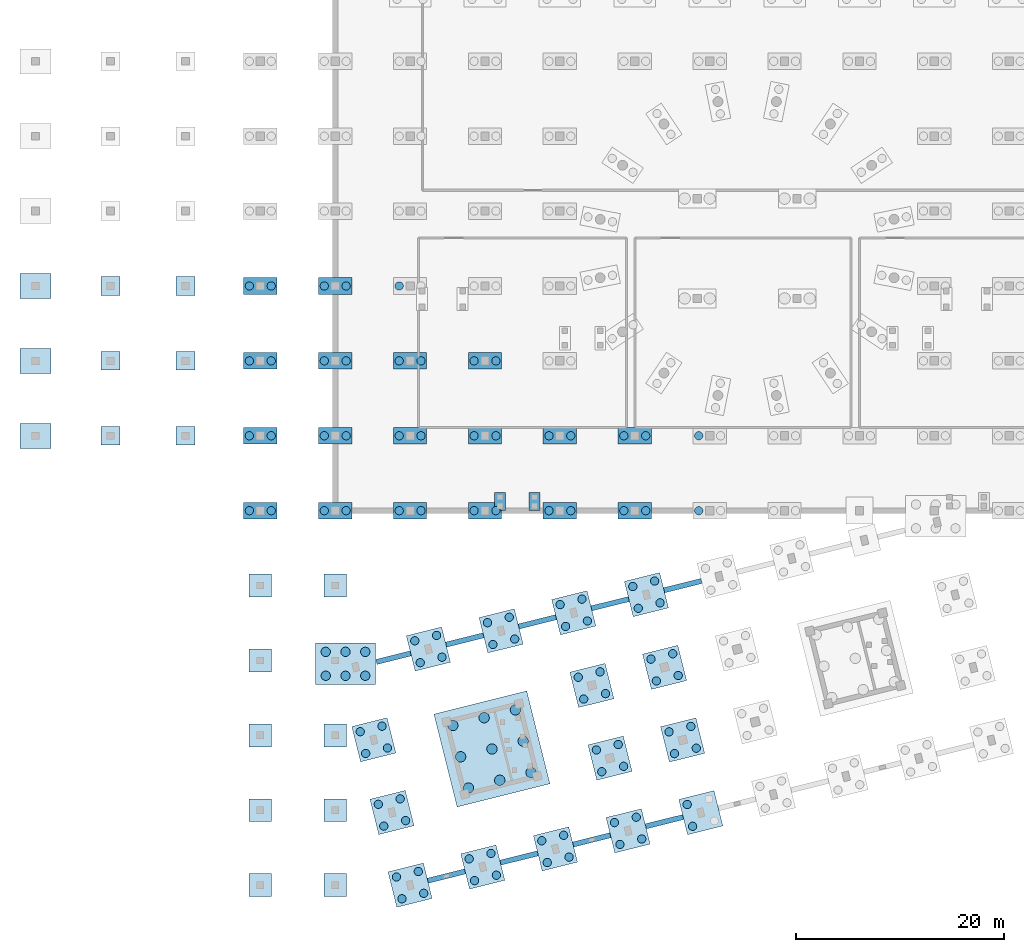
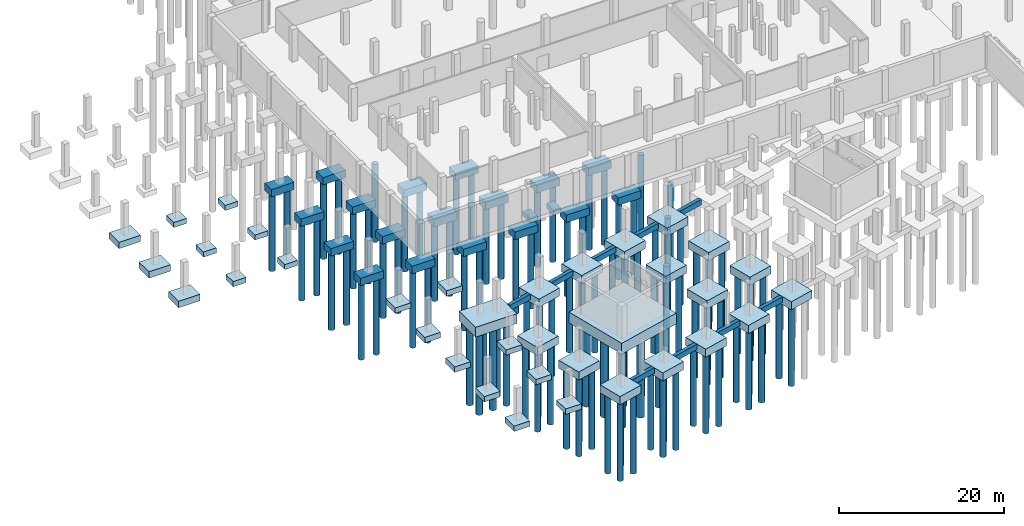
# One storey, part 1 of 19: 112 piles, 64 footings.
"""IFC4 building model written with IfcOpenShell, lengths in metres."""

from ifc_helpers import new_model, si_unit, direction, frame, origin, origin_2d, place, context, subcontext, project, spatial, rectangle, circle, extrude, material, material_profile, profile_set, type_object, element, save


model = new_model("IFC4")

# Units and contexts
model_context = context("Model", 3, precision=1e-05, world=origin(), true_north=direction((0.0, 1.0)))
body_context = subcontext(model_context, "Body", "Model", "MODEL_VIEW")
ifc_project = project(units=[si_unit("LENGTHUNIT", "METRE"), si_unit("AREAUNIT", "SQUARE_METRE"), si_unit("VOLUMEUNIT", "CUBIC_METRE"), si_unit("PLANEANGLEUNIT", "RADIAN"), si_unit("MASSUNIT", "GRAM", prefix="KILO")], contexts=[model_context])

# Site, building, storey
site_placement = place(None, origin())
site = spatial("IfcSite", under=ifc_project, at=site_placement, CompositionType="ELEMENT")
building_placement = place(site_placement, origin())
building = spatial("IfcBuilding", under=site, at=building_placement, Name="Qiaolan Assembly House", CompositionType="ELEMENT")
storey_placement = place(building_placement, frame((0.0, 0.0, -4.800048828125)))
storey = spatial("IfcBuildingStorey", under=building, at=storey_placement, Name="B1", CompositionType="ELEMENT", Elevation=-4.800048828125)

# Footings
ifc_material_1 = material(Name="Concrete C40/50", Category="concrete")
footing_type_1 = type_object("IfcFootingType", Name="FTG-CORE-RAFT-9200x9200", PredefinedType="PILE_CAP", material=ifc_material_1)
footing_1_placement = place(storey_placement, frame((43.866455078125, 13.092041015625, -1.60009765625), z_axis=(0.0, 0.0, 1.0), x_axis=(0.970295726276, 0.2419218956, 0.0)))
element("IfcFooting", 1, at=footing_1_placement, inside=storey, type_object=footing_type_1, Name="PC-01 pile cap CORE-C", PredefinedType="PILE_CAP", context=body_context, shape_type="SweptSolid", body=[
    extrude(rectangle(XDim=9.199951171875, YDim=9.199951171875, at=origin_2d()), origin(), (0.0, 0.0, 1.0), 1.60009765625),
])
ifc_material_profile_1 = material_profile(ifc_material_1, rectangle(XDim=0.5, YDim=0.800048828125, at=origin_2d()), Name="GF 500x800")
ifc_profile_set_1 = profile_set([ifc_material_profile_1], Name="Concrete C40/50")
footing_type_2 = type_object("IfcFootingType", Name="FTG-GB-500x800", PredefinedType="FOOTING_BEAM", material=ifc_profile_set_1)
for number, where, z_axis, x_axis, name in (
    (2, (37.700927734375, 0.424072265625, -0.39990234375), (0.970301689805, 0.241897975934, 0.0), (-0.241897975934, 0.970301689805, 0.0), "GF-02 ground tie beam SE-0-0"),
    (3, (44.68701171875, 2.166015625, -0.39990234375), (0.970301689805, 0.241897975934, 0.0), (-0.241897975934, 0.970301689805, 0.0), "GF-02 ground tie beam SE-0-1"),
):
    element("IfcFooting", number, at=place(storey_placement, frame(where, z_axis=z_axis, x_axis=x_axis)), inside=storey, type_object=footing_type_2, Name=name, PredefinedType="FOOTING_BEAM", context=body_context, shape_type="SweptSolid", body=[
        extrude(rectangle(XDim=0.5, YDim=0.800048828125, at=origin_2d()), origin(), (0.0, 0.0, 1.0), 3.69384765625),
    ])
footing_2_placement = place(storey_placement, frame((51.673095703125, 3.90771484375, -0.39990234375), z_axis=(0.970290044184, 0.241944684086, 0.0), x_axis=(-0.241944684086, 0.970290044184, 0.0)))
element("IfcFooting", 4, at=footing_2_placement, inside=storey, type_object=footing_type_2, Name="GF-02 ground tie beam SE-0-2", PredefinedType="FOOTING_BEAM", context=body_context, shape_type="SweptSolid", body=[
    extrude(rectangle(XDim=0.5, YDim=0.800048828125, at=origin_2d()), origin(), (0.0, 0.0, 1.0), 3.6943359375),
])
footing_3_placement = place(storey_placement, frame((58.659423828125, 5.649658203125, -0.39990234375), z_axis=(0.970301689805, 0.241897975934, 0.0), x_axis=(-0.241897975934, 0.970301689805, 0.0)))
element("IfcFooting", 5, at=footing_3_placement, inside=storey, type_object=footing_type_2, Name="GF-02 ground tie beam SE-0-3", PredefinedType="FOOTING_BEAM", context=body_context, shape_type="SweptSolid", body=[
    extrude(rectangle(XDim=0.5, YDim=0.800048828125, at=origin_2d()), origin(), (0.0, 0.0, 1.0), 3.69384765625),
])
footing_4_placement = place(storey_placement, frame((32.75390625, 21.451904296875, -0.39990234375), z_axis=(0.970294063593, 0.241928564157, 0.0), x_axis=(-0.241928564157, 0.970294063593, 0.0)))
element("IfcFooting", 6, at=footing_4_placement, inside=storey, type_object=footing_type_2, Name="GF-02 ground tie beam SE-21-0", PredefinedType="FOOTING_BEAM", context=body_context, shape_type="SweptSolid", body=[
    extrude(rectangle(XDim=0.5, YDim=0.800048828125, at=origin_2d()), origin(), (0.0, 0.0, 1.0), 3.406982421875),
])
footing_5_placement = place(storey_placement, frame((39.46142578125, 23.124267578125, -0.39990234375), z_axis=(0.970290044184, 0.241944684086, 0.0), x_axis=(-0.241944684086, 0.970290044184, 0.0)))
element("IfcFooting", 7, at=footing_5_placement, inside=storey, type_object=footing_type_2, Name="GF-02 ground tie beam SE-21-1", PredefinedType="FOOTING_BEAM", context=body_context, shape_type="SweptSolid", body=[
    extrude(rectangle(XDim=0.5, YDim=0.800048828125, at=origin_2d()), origin(), (0.0, 0.0, 1.0), 3.6943359375),
])
footing_6_placement = place(storey_placement, frame((46.44775390625, 24.8662109375, -0.39990234375), z_axis=(0.970301689805, 0.241897975934, 0.0), x_axis=(-0.241897975934, 0.970301689805, 0.0)))
element("IfcFooting", 8, at=footing_6_placement, inside=storey, type_object=footing_type_2, Name="GF-02 ground tie beam SE-21-2", PredefinedType="FOOTING_BEAM", context=body_context, shape_type="SweptSolid", body=[
    extrude(rectangle(XDim=0.5, YDim=0.800048828125, at=origin_2d()), origin(), (0.0, 0.0, 1.0), 3.69384765625),
])
footing_7_placement = place(storey_placement, frame((53.433837890625, 26.60791015625, -0.39990234375), z_axis=(0.970286175259, 0.241960199416, 0.0), x_axis=(-0.241960199416, 0.970286175259, 0.0)))
element("IfcFooting", 9, at=footing_7_placement, inside=storey, type_object=footing_type_2, Name="GF-02 ground tie beam SE-21-3", PredefinedType="FOOTING_BEAM", context=body_context, shape_type="SweptSolid", body=[
    extrude(rectangle(XDim=0.5, YDim=0.800048828125, at=origin_2d()), origin(), (0.0, 0.0, 1.0), 3.694091796875),
])
footing_8_placement = place(storey_placement, frame((60.419921875, 28.349853515625, -0.39990234375), z_axis=(0.970301689805, 0.241897975934, 0.0), x_axis=(-0.241897975934, 0.970301689805, 0.0)))
element("IfcFooting", 10, at=footing_8_placement, inside=storey, type_object=footing_type_2, Name="GF-02 ground tie beam SE-21-4", PredefinedType="FOOTING_BEAM", context=body_context, shape_type="SweptSolid", body=[
    extrude(rectangle(XDim=0.5, YDim=0.800048828125, at=origin_2d()), origin(), (0.0, 0.0, 1.0), 3.69384765625),
])
footing_type_3 = type_object("IfcFootingType", Name="FTG-PAD-1800x1800", PredefinedType="PAD_FOOTING", material=ifc_material_1)
for number, where, z_axis, x_axis, name in (
    (11, (7.199951171875, 43.199951171875, -0.75), (0.0, 0.0, 1.0), (1.0, 0.0, 0.0), "PF-04 portico pad footing 1-0"),
    (12, (7.199951171875, 50.39990234375, -0.75), (0.0, 0.0, 1.0), (1.0, 0.0, 0.0), "PF-04 portico pad footing 1-1"),
    (13, (7.199951171875, 57.60009765625, -0.75), (0.0, 0.0, 1.0), (1.0, 0.0, 0.0), "PF-04 portico pad footing 1-2"),
    (14, (14.39990234375, 43.199951171875, -0.75), (0.0, 0.0, 1.0), (1.0, 0.0, 0.0), "PF-04 portico pad footing 2-0"),
    (15, (14.39990234375, 50.39990234375, -0.75), (0.0, 0.0, 1.0), (1.0, 0.0, 0.0), "PF-04 portico pad footing 2-1"),
    (16, (14.39990234375, 57.60009765625, -0.75), (0.0, 0.0, 1.0), (1.0, 0.0, 0.0), "PF-04 portico pad footing 2-2"),
):
    element("IfcFooting", number, at=place(storey_placement, frame(where, z_axis=z_axis, x_axis=x_axis)), inside=storey, type_object=footing_type_3, Name=name, PredefinedType="PAD_FOOTING", context=body_context, shape_type="SweptSolid", body=[
        extrude(rectangle(XDim=1.800048828125, YDim=1.800048828125, at=origin_2d()), origin(), (0.0, 0.0, 1.0), 0.75),
    ])
footing_type_4 = type_object("IfcFootingType", Name="FTG-PAD-2200x2200", PredefinedType="PAD_FOOTING", material=ifc_material_1)
for number, where, z_axis, x_axis, name in (
    (17, (21.60009765625, 0.0, -0.7998046875), (0.0, 0.0, 1.0), (1.0, 0.0, 0.0), "PF-03 pad footing PS-21-0"),
    (18, (21.60009765625, 7.199951171875, -0.7998046875), (0.0, 0.0, 1.0), (1.0, 0.0, 0.0), "PF-03 pad footing PS-21-1"),
    (19, (21.60009765625, 14.39990234375, -0.7998046875), (0.0, 0.0, 1.0), (1.0, 0.0, 0.0), "PF-03 pad footing PS-21-2"),
    (20, (21.60009765625, 21.60009765625, -0.7998046875), (0.0, 0.0, 1.0), (1.0, 0.0, 0.0), "PF-03 pad footing PS-21-3"),
    (21, (21.60009765625, 28.800048828125, -0.7998046875), (0.0, 0.0, 1.0), (1.0, 0.0, 0.0), "PF-03 pad footing PS-21-4"),
    (22, (28.800048828125, 0.0, -0.7998046875), (0.0, 0.0, 1.0), (1.0, 0.0, 0.0), "PF-03 pad footing PS-28-0"),
    (23, (28.800048828125, 7.199951171875, -0.7998046875), (0.0, 0.0, 1.0), (1.0, 0.0, 0.0), "PF-03 pad footing PS-28-1"),
    (24, (28.800048828125, 14.39990234375, -0.7998046875), (0.0, 0.0, 1.0), (1.0, 0.0, 0.0), "PF-03 pad footing PS-28-2"),
    (25, (28.800048828125, 28.800048828125, -0.7998046875), (0.0, 0.0, 1.0), (1.0, 0.0, 0.0), "PF-03 pad footing PS-28-4"),
):
    element("IfcFooting", number, at=place(storey_placement, frame(where, z_axis=z_axis, x_axis=x_axis)), inside=storey, type_object=footing_type_4, Name=name, PredefinedType="PAD_FOOTING", context=body_context, shape_type="SweptSolid", body=[
        extrude(rectangle(XDim=2.199951171875, YDim=2.199951171875, at=origin_2d()), origin(), (0.0, 0.0, 1.0), 0.800048828125),
    ])
footing_type_5 = type_object("IfcFootingType", Name="FTG-PAD-3000x2400", PredefinedType="PAD_FOOTING", material=ifc_material_1)
for number, where, z_axis, x_axis, name in (
    (26, (0.0, 43.199951171875, -0.94970703125), (0.0, 0.0, 1.0), (1.0, 0.0, 0.0), "PF-01 portico pad footing 0-0"),
    (27, (0.0, 50.39990234375, -0.94970703125), (0.0, 0.0, 1.0), (1.0, 0.0, 0.0), "PF-01 portico pad footing 0-1"),
    (28, (0.0, 57.60009765625, -0.94970703125), (0.0, 0.0, 1.0), (1.0, 0.0, 0.0), "PF-01 portico pad footing 0-2"),
):
    element("IfcFooting", number, at=place(storey_placement, frame(where, z_axis=z_axis, x_axis=x_axis)), inside=storey, type_object=footing_type_5, Name=name, PredefinedType="PAD_FOOTING", context=body_context, shape_type="SweptSolid", body=[
        extrude(rectangle(XDim=3.0, YDim=2.39990234375, at=origin_2d()), origin(), (0.0, 0.0, 1.0), 0.949951171875),
    ])
for number, where, z_axis, x_axis, name in (
    (29, (44.64990234375, 36.8798828125, -0.75), (0.0, 0.0, 1.0), (1.0, 0.0, 0.0), "PF-04 foyer stair combined footing F1-1"),
    (30, (47.949951171875, 36.8798828125, -0.75), (0.0, 0.0, 1.0), (1.0, 0.0, 0.0), "PF-04 foyer stair combined footing F1-2"),
):
    element("IfcFooting", number, at=place(storey_placement, frame(where, z_axis=z_axis, x_axis=x_axis)), inside=storey, type_object=footing_type_5, Name=name, PredefinedType="PAD_FOOTING", context=body_context, shape_type="SweptSolid", body=[
        extrude(rectangle(XDim=1.050048828125, YDim=1.75, at=origin_2d()), origin(), (0.0, 0.0, 1.0), 0.699951171875),
    ])
footing_type_6 = type_object("IfcFootingType", Name="FTG-PC-2P-3200x1600", PredefinedType="PILE_CAP", material=ifc_material_1)
for number, where, z_axis, x_axis, name in (
    (31, (21.60009765625, 36.0, -1.10009765625), (0.0, 0.0, 1.0), (1.0, 0.0, 0.0), "PC-07 pile cap HL-00-00"),
    (32, (21.60009765625, 43.199951171875, -1.10009765625), (0.0, 0.0, 1.0), (1.0, 0.0, 0.0), "PC-07 pile cap HL-00-01"),
    (33, (21.60009765625, 50.39990234375, -1.10009765625), (0.0, 0.0, 1.0), (1.0, 0.0, 0.0), "PC-07 pile cap HL-00-02"),
    (34, (21.60009765625, 57.60009765625, -1.10009765625), (0.0, 0.0, 1.0), (1.0, 0.0, 0.0), "PC-07 pile cap HL-00-03"),
    (35, (28.800048828125, 36.0, -1.85009765625), (0.0, 0.0, 1.0), (1.0, 0.0, 0.0), "PC-07 pile cap HL-01-00"),
    (36, (28.800048828125, 43.199951171875, -1.85009765625), (0.0, 0.0, 1.0), (1.0, 0.0, 0.0), "PC-07 pile cap HL-01-01"),
    (37, (28.800048828125, 50.39990234375, -1.85009765625), (0.0, 0.0, 1.0), (1.0, 0.0, 0.0), "PC-07 pile cap HL-01-02"),
    (38, (28.800048828125, 57.60009765625, -1.85009765625), (0.0, 0.0, 1.0), (1.0, 0.0, 0.0), "PC-07 pile cap HL-01-03"),
    (39, (36.0, 36.0, -1.85009765625), (0.0, 0.0, 1.0), (1.0, 0.0, 0.0), "PC-07 pile cap HL-02-00"),
    (40, (36.0, 43.199951171875, -1.85009765625), (0.0, 0.0, 1.0), (1.0, 0.0, 0.0), "PC-07 pile cap HL-02-01"),
    (41, (36.0, 50.39990234375, -1.85009765625), (0.0, 0.0, 1.0), (1.0, 0.0, 0.0), "PC-07 pile cap HL-02-02"),
    (42, (43.199951171875, 36.0, -1.85009765625), (0.0, 0.0, 1.0), (1.0, 0.0, 0.0), "PC-07 pile cap HL-03-00"),
    (43, (43.199951171875, 43.199951171875, -1.85009765625), (0.0, 0.0, 1.0), (1.0, 0.0, 0.0), "PC-07 pile cap HL-03-01"),
    (44, (43.199951171875, 50.39990234375, -1.85009765625), (0.0, 0.0, 1.0), (1.0, 0.0, 0.0), "PC-07 pile cap HL-03-02"),
    (45, (50.39990234375, 36.0, -1.85009765625), (0.0, 0.0, 1.0), (1.0, 0.0, 0.0), "PC-07 pile cap HL-04-00"),
    (46, (50.39990234375, 43.199951171875, -1.85009765625), (0.0, 0.0, 1.0), (1.0, 0.0, 0.0), "PC-07 pile cap HL-04-01"),
    (47, (57.60009765625, 36.0, -1.85009765625), (0.0, 0.0, 1.0), (1.0, 0.0, 0.0), "PC-07 pile cap HL-05-00"),
    (48, (57.60009765625, 43.199951171875, -1.85009765625), (0.0, 0.0, 1.0), (1.0, 0.0, 0.0), "PC-07 pile cap HL-05-01"),
):
    element("IfcFooting", number, at=place(storey_placement, frame(where, z_axis=z_axis, x_axis=x_axis)), inside=storey, type_object=footing_type_6, Name=name, PredefinedType="PILE_CAP", context=body_context, shape_type="SweptSolid", body=[
        extrude(rectangle(XDim=3.199951171875, YDim=1.60009765625, at=origin_2d()), origin(), (0.0, 0.0, 1.0), 1.10009765625),
    ])
footing_type_7 = type_object("IfcFootingType", Name="FTG-PC-4P-3500x3500", PredefinedType="PILE_CAP", material=ifc_material_1)
for number, where, z_axis, x_axis, name in (
    (49, (36.0, 0.0, -1.19970703125), (0.0, 0.0, 1.0), (0.970295726276, 0.2419218956, 0.0), "PC-05 pile cap SE-00-00"),
    (50, (34.258056640625, 6.986083984375, -1.19970703125), (0.0, 0.0, 1.0), (0.970295726276, 0.2419218956, 0.0), "PC-05 pile cap SE-00-01"),
    (51, (32.516357421875, 13.97216796875, -1.19970703125), (0.0, 0.0, 1.0), (0.970295726276, 0.2419218956, 0.0), "PC-05 pile cap SE-00-02"),
    (52, (42.986083984375, 1.741943359375, -1.19970703125), (0.0, 0.0, 1.0), (0.970295726276, 0.2419218956, 0.0), "PC-05 pile cap SE-01-00"),
    (53, (37.760498046875, 22.7001953125, -1.19970703125), (0.0, 0.0, 1.0), (0.970295726276, 0.2419218956, 0.0), "PC-05 pile cap SE-01-03"),
    (54, (49.97216796875, 3.483642578125, -1.19970703125), (0.0, 0.0, 1.0), (0.970295726276, 0.2419218956, 0.0), "PC-05 pile cap SE-02-00"),
    (55, (44.746826171875, 24.442138671875, -1.19970703125), (0.0, 0.0, 1.0), (0.970295726276, 0.2419218956, 0.0), "PC-05 pile cap SE-02-03"),
    (56, (56.95849609375, 5.2255859375, -1.19970703125), (0.0, 0.0, 1.0), (0.970295726276, 0.2419218956, 0.0), "PC-05 pile cap SE-03-00"),
    (57, (55.216552734375, 12.211669921875, -1.19970703125), (0.0, 0.0, 1.0), (0.970295726276, 0.2419218956, 0.0), "PC-05 pile cap SE-03-01"),
    (58, (53.474609375, 19.19775390625, -1.19970703125), (0.0, 0.0, 1.0), (0.970295726276, 0.2419218956, 0.0), "PC-05 pile cap SE-03-02"),
    (59, (51.73291015625, 26.183837890625, -1.19970703125), (0.0, 0.0, 1.0), (0.970295726276, 0.2419218956, 0.0), "PC-05 pile cap SE-03-03"),
    (60, (63.944580078125, 6.96728515625, -1.19970703125), (0.0, 0.0, 1.0), (0.970295726276, 0.2419218956, 0.0), "PC-05 pile cap SE-04-00"),
    (61, (62.20263671875, 13.953369140625, -1.19970703125), (0.0, 0.0, 1.0), (0.970295726276, 0.2419218956, 0.0), "PC-05 pile cap SE-04-01"),
    (62, (60.4609375, 20.939697265625, -1.19970703125), (0.0, 0.0, 1.0), (0.970295726276, 0.2419218956, 0.0), "PC-05 pile cap SE-04-02"),
    (63, (58.718994140625, 27.92578125, -1.19970703125), (0.0, 0.0, 1.0), (0.970295726276, 0.2419218956, 0.0), "PC-05 pile cap SE-04-03"),
):
    element("IfcFooting", number, at=place(storey_placement, frame(where, z_axis=z_axis, x_axis=x_axis)), inside=storey, type_object=footing_type_7, Name=name, PredefinedType="PILE_CAP", context=body_context, shape_type="SweptSolid", body=[
        extrude(rectangle(XDim=3.5, YDim=3.5, at=origin_2d()), origin(), (0.0, 0.0, 1.0), 1.199951171875),
    ])
footing_type_8 = type_object("IfcFootingType", Name="FTG-PC-6P-5800x4000", PredefinedType="PILE_CAP", material=ifc_material_1)
footing_9_placement = place(storey_placement, frame((29.7900390625, 21.280029296875, -1.44970703125), z_axis=(0.0, 0.0, 1.0), x_axis=(1.0, 0.0, 0.0)))
element("IfcFooting", 64, at=footing_9_placement, inside=storey, type_object=footing_type_8, Name="PC-02 pile cap COMB-PS-SE00", PredefinedType="PILE_CAP", context=body_context, shape_type="SweptSolid", body=[
    extrude(rectangle(XDim=5.800048828125, YDim=4.0, at=origin_2d()), origin(), (0.0, 0.0, 1.0), 1.449951171875),
])

# Piles
ifc_material_2 = material(Name="Concrete C45/55", Category="concrete")
ifc_material_profile_2 = material_profile(ifc_material_2, circle(Radius=0.5, at=origin_2d()), Name="PILE D1000")
ifc_profile_set_2 = profile_set([ifc_material_profile_2], Name="Concrete C45/55")
pile_type_1 = type_object("IfcPileType", Name="PILE-BORED-D1000", PredefinedType="BORED", material=ifc_profile_set_2)
for number, where, z_axis, x_axis, name in (
    (65, (41.6083984375, 9.333984375, -1.5), (0.0, 0.0, -1.0), (1.0, 0.0, 0.0), "BP-03 rock-socketed pile CORE-C-1"),
    (66, (40.8583984375, 12.342041015625, -1.5), (0.0, 0.0, -1.0), (1.0, 0.0, 0.0), "BP-03 rock-socketed pile CORE-C-2"),
    (67, (40.108642578125, 15.349853515625, -1.5), (0.0, 0.0, -1.0), (1.0, 0.0, 0.0), "BP-03 rock-socketed pile CORE-C-3"),
    (68, (44.616455078125, 10.083984375, -1.5), (0.0, 0.0, -1.0), (1.0, 0.0, 0.0), "BP-03 rock-socketed pile CORE-C-4"),
    (69, (43.866455078125, 13.092041015625, -1.5), (0.0, 0.0, -1.0), (1.0, 0.0, 0.0), "BP-03 rock-socketed pile CORE-C-5"),
    (70, (43.116455078125, 16.099853515625, -1.5), (0.0, 0.0, -1.0), (1.0, 0.0, 0.0), "BP-03 rock-socketed pile CORE-C-6"),
    (71, (47.624267578125, 10.833984375, -1.5), (0.0, 0.0, -1.0), (1.0, 0.0, 0.0), "BP-03 rock-socketed pile CORE-C-7"),
    (72, (46.874267578125, 13.841796875, -1.5), (0.0, 0.0, -1.0), (1.0, 0.0, 0.0), "BP-03 rock-socketed pile CORE-C-8"),
    (73, (46.12451171875, 16.849853515625, -1.5), (0.0, 0.0, -1.0), (1.0, 0.0, 0.0), "BP-03 rock-socketed pile CORE-C-9"),
):
    element("IfcPile", number, at=place(storey_placement, frame(where, z_axis=z_axis, x_axis=x_axis)), inside=storey, type_object=pile_type_1, Name=name, PredefinedType="BORED", context=body_context, shape_type="SweptSolid", body=[
        extrude(circle(Radius=0.5, at=origin_2d()), origin(), (0.0, 0.0, 1.0), 12.199951171875),
    ])
ifc_material_profile_3 = material_profile(ifc_material_2, circle(Radius=0.39990234375, at=origin_2d()), Name="PILE D800")
ifc_profile_set_3 = profile_set([ifc_material_profile_3], Name="Concrete C45/55")
pile_type_2 = type_object("IfcPileType", Name="PILE-BORED-D800", PredefinedType="BORED", material=ifc_profile_set_3)
for number, where, z_axis, x_axis, name in (
    (74, (35.21337890625, -1.30908203125, -1.099853515625), (0.0, 0.0, -1.0), (1.0, 0.0, 0.0), "BP-01 rock-socketed pile SE-00-00-1"),
    (75, (37.30908203125, -0.78662109375, -1.099853515625), (0.0, 0.0, -1.0), (1.0, 0.0, 0.0), "BP-01 rock-socketed pile SE-00-00-2"),
    (76, (36.78662109375, 1.30908203125, -1.099853515625), (0.0, 0.0, -1.0), (1.0, 0.0, 0.0), "BP-01 rock-socketed pile SE-00-00-3"),
    (77, (34.69091796875, 0.78662109375, -1.099853515625), (0.0, 0.0, -1.0), (1.0, 0.0, 0.0), "BP-01 rock-socketed pile SE-00-00-4"),
    (78, (33.471435546875, 5.677001953125, -1.099853515625), (0.0, 0.0, -1.0), (1.0, 0.0, 0.0), "BP-01 rock-socketed pile SE-00-01-1"),
    (79, (35.5673828125, 6.199462890625, -1.099853515625), (0.0, 0.0, -1.0), (1.0, 0.0, 0.0), "BP-01 rock-socketed pile SE-00-01-2"),
    (80, (35.044921875, 8.29541015625, -1.099853515625), (0.0, 0.0, -1.0), (1.0, 0.0, 0.0), "BP-01 rock-socketed pile SE-00-01-3"),
    (81, (32.948974609375, 7.772705078125, -1.099853515625), (0.0, 0.0, -1.0), (1.0, 0.0, 0.0), "BP-01 rock-socketed pile SE-00-01-4"),
    (82, (31.729736328125, 12.6630859375, -1.099853515625), (0.0, 0.0, -1.0), (1.0, 0.0, 0.0), "BP-01 rock-socketed pile SE-00-02-1"),
    (83, (33.825439453125, 13.185546875, -1.099853515625), (0.0, 0.0, -1.0), (1.0, 0.0, 0.0), "BP-01 rock-socketed pile SE-00-02-2"),
    (84, (33.302978515625, 15.281494140625, -1.099853515625), (0.0, 0.0, -1.0), (1.0, 0.0, 0.0), "BP-01 rock-socketed pile SE-00-02-3"),
    (85, (31.20703125, 14.7587890625, -1.099853515625), (0.0, 0.0, -1.0), (1.0, 0.0, 0.0), "BP-01 rock-socketed pile SE-00-02-4"),
    (86, (42.199462890625, 0.4326171875, -1.099853515625), (0.0, 0.0, -1.0), (1.0, 0.0, 0.0), "BP-01 rock-socketed pile SE-01-00-1"),
    (87, (44.29541015625, 0.955078125, -1.099853515625), (0.0, 0.0, -1.0), (1.0, 0.0, 0.0), "BP-01 rock-socketed pile SE-01-00-2"),
    (88, (43.772705078125, 3.051025390625, -1.099853515625), (0.0, 0.0, -1.0), (1.0, 0.0, 0.0), "BP-01 rock-socketed pile SE-01-00-3"),
    (89, (41.677001953125, 2.528564453125, -1.099853515625), (0.0, 0.0, -1.0), (1.0, 0.0, 0.0), "BP-01 rock-socketed pile SE-01-00-4"),
    (90, (36.973876953125, 21.39111328125, -1.099853515625), (0.0, 0.0, -1.0), (1.0, 0.0, 0.0), "BP-01 rock-socketed pile SE-01-03-1"),
    (91, (39.06982421875, 21.91357421875, -1.099853515625), (0.0, 0.0, -1.0), (1.0, 0.0, 0.0), "BP-01 rock-socketed pile SE-01-03-2"),
    (92, (38.54736328125, 24.009521484375, -1.099853515625), (0.0, 0.0, -1.0), (1.0, 0.0, 0.0), "BP-01 rock-socketed pile SE-01-03-3"),
    (93, (36.451416015625, 23.48681640625, -1.099853515625), (0.0, 0.0, -1.0), (1.0, 0.0, 0.0), "BP-01 rock-socketed pile SE-01-03-4"),
    (94, (49.185546875, 2.174560546875, -1.099853515625), (0.0, 0.0, -1.0), (1.0, 0.0, 0.0), "BP-01 rock-socketed pile SE-02-00-1"),
    (95, (51.281494140625, 2.697021484375, -1.099853515625), (0.0, 0.0, -1.0), (1.0, 0.0, 0.0), "BP-01 rock-socketed pile SE-02-00-2"),
    (96, (50.7587890625, 4.79296875, -1.099853515625), (0.0, 0.0, -1.0), (1.0, 0.0, 0.0), "BP-01 rock-socketed pile SE-02-00-3"),
    (97, (48.6630859375, 4.270263671875, -1.099853515625), (0.0, 0.0, -1.0), (1.0, 0.0, 0.0), "BP-01 rock-socketed pile SE-02-00-4"),
    (98, (43.960205078125, 23.1328125, -1.099853515625), (0.0, 0.0, -1.0), (1.0, 0.0, 0.0), "BP-01 rock-socketed pile SE-02-03-1"),
    (99, (46.055908203125, 23.655517578125, -1.099853515625), (0.0, 0.0, -1.0), (1.0, 0.0, 0.0), "BP-01 rock-socketed pile SE-02-03-2"),
    (100, (45.533447265625, 25.751220703125, -1.099853515625), (0.0, 0.0, -1.0), (1.0, 0.0, 0.0), "BP-01 rock-socketed pile SE-02-03-3"),
    (101, (43.4375, 25.228759765625, -1.099853515625), (0.0, 0.0, -1.0), (1.0, 0.0, 0.0), "BP-01 rock-socketed pile SE-02-03-4"),
    (102, (56.171630859375, 3.916259765625, -1.099853515625), (0.0, 0.0, -1.0), (1.0, 0.0, 0.0), "BP-01 rock-socketed pile SE-03-00-1"),
    (103, (58.267578125, 4.43896484375, -1.099853515625), (0.0, 0.0, -1.0), (1.0, 0.0, 0.0), "BP-01 rock-socketed pile SE-03-00-2"),
    (104, (57.7451171875, 6.53466796875, -1.099853515625), (0.0, 0.0, -1.0), (1.0, 0.0, 0.0), "BP-01 rock-socketed pile SE-03-00-3"),
    (105, (55.649169921875, 6.01220703125, -1.099853515625), (0.0, 0.0, -1.0), (1.0, 0.0, 0.0), "BP-01 rock-socketed pile SE-03-00-4"),
    (106, (54.429931640625, 10.90234375, -1.099853515625), (0.0, 0.0, -1.0), (1.0, 0.0, 0.0), "BP-01 rock-socketed pile SE-03-01-1"),
    (107, (56.525634765625, 11.425048828125, -1.099853515625), (0.0, 0.0, -1.0), (1.0, 0.0, 0.0), "BP-01 rock-socketed pile SE-03-01-2"),
    (108, (56.003173828125, 13.520751953125, -1.099853515625), (0.0, 0.0, -1.0), (1.0, 0.0, 0.0), "BP-01 rock-socketed pile SE-03-01-3"),
    (109, (53.907470703125, 12.998291015625, -1.099853515625), (0.0, 0.0, -1.0), (1.0, 0.0, 0.0), "BP-01 rock-socketed pile SE-03-01-4"),
    (110, (52.68798828125, 17.888671875, -1.099853515625), (0.0, 0.0, -1.0), (1.0, 0.0, 0.0), "BP-01 rock-socketed pile SE-03-02-1"),
    (111, (54.783935546875, 18.4111328125, -1.099853515625), (0.0, 0.0, -1.0), (1.0, 0.0, 0.0), "BP-01 rock-socketed pile SE-03-02-2"),
    (112, (54.261474609375, 20.507080078125, -1.099853515625), (0.0, 0.0, -1.0), (1.0, 0.0, 0.0), "BP-01 rock-socketed pile SE-03-02-3"),
    (113, (52.16552734375, 19.984375, -1.099853515625), (0.0, 0.0, -1.0), (1.0, 0.0, 0.0), "BP-01 rock-socketed pile SE-03-02-4"),
    (114, (50.9462890625, 24.874755859375, -1.099853515625), (0.0, 0.0, -1.0), (1.0, 0.0, 0.0), "BP-01 rock-socketed pile SE-03-03-1"),
    (115, (53.0419921875, 25.397216796875, -1.099853515625), (0.0, 0.0, -1.0), (1.0, 0.0, 0.0), "BP-01 rock-socketed pile SE-03-03-2"),
    (116, (52.51953125, 27.4931640625, -1.099853515625), (0.0, 0.0, -1.0), (1.0, 0.0, 0.0), "BP-01 rock-socketed pile SE-03-03-3"),
    (117, (50.423583984375, 26.970458984375, -1.099853515625), (0.0, 0.0, -1.0), (1.0, 0.0, 0.0), "BP-01 rock-socketed pile SE-03-03-4"),
    (118, (63.157958984375, 5.658203125, -1.099853515625), (0.0, 0.0, -1.0), (1.0, 0.0, 0.0), "BP-01 rock-socketed pile SE-04-00-1"),
    (119, (62.63525390625, 7.75390625, -1.099853515625), (0.0, 0.0, -1.0), (1.0, 0.0, 0.0), "BP-01 rock-socketed pile SE-04-00-4"),
    (120, (61.416015625, 12.644287109375, -1.099853515625), (0.0, 0.0, -1.0), (1.0, 0.0, 0.0), "BP-01 rock-socketed pile SE-04-01-1"),
    (121, (63.511962890625, 13.166748046875, -1.099853515625), (0.0, 0.0, -1.0), (1.0, 0.0, 0.0), "BP-01 rock-socketed pile SE-04-01-2"),
    (122, (62.9892578125, 15.2626953125, -1.099853515625), (0.0, 0.0, -1.0), (1.0, 0.0, 0.0), "BP-01 rock-socketed pile SE-04-01-3"),
    (123, (60.8935546875, 14.740234375, -1.099853515625), (0.0, 0.0, -1.0), (1.0, 0.0, 0.0), "BP-01 rock-socketed pile SE-04-01-4"),
    (124, (59.67431640625, 19.63037109375, -1.099853515625), (0.0, 0.0, -1.0), (1.0, 0.0, 0.0), "BP-01 rock-socketed pile SE-04-02-1"),
    (125, (61.77001953125, 20.153076171875, -1.099853515625), (0.0, 0.0, -1.0), (1.0, 0.0, 0.0), "BP-01 rock-socketed pile SE-04-02-2"),
    (126, (61.24755859375, 22.248779296875, -1.099853515625), (0.0, 0.0, -1.0), (1.0, 0.0, 0.0), "BP-01 rock-socketed pile SE-04-02-3"),
    (127, (59.151611328125, 21.726318359375, -1.099853515625), (0.0, 0.0, -1.0), (1.0, 0.0, 0.0), "BP-01 rock-socketed pile SE-04-02-4"),
    (128, (57.932373046875, 26.616455078125, -1.099853515625), (0.0, 0.0, -1.0), (1.0, 0.0, 0.0), "BP-01 rock-socketed pile SE-04-03-1"),
    (129, (60.0283203125, 27.13916015625, -1.099853515625), (0.0, 0.0, -1.0), (1.0, 0.0, 0.0), "BP-01 rock-socketed pile SE-04-03-2"),
    (130, (59.505615234375, 29.23486328125, -1.099853515625), (0.0, 0.0, -1.0), (1.0, 0.0, 0.0), "BP-01 rock-socketed pile SE-04-03-3"),
    (131, (57.409912109375, 28.71240234375, -1.099853515625), (0.0, 0.0, -1.0), (1.0, 0.0, 0.0), "BP-01 rock-socketed pile SE-04-03-4"),
):
    element("IfcPile", number, at=place(storey_placement, frame(where, z_axis=z_axis, x_axis=x_axis)), inside=storey, type_object=pile_type_2, Name=name, PredefinedType="BORED", context=body_context, shape_type="SweptSolid", body=[
        extrude(circle(Radius=0.39990234375, at=origin_2d()), origin(), (0.0, 0.0, 1.0), 11.800048828125),
    ])
for number, where, z_axis, x_axis, name in (
    (132, (20.550048828125, 36.0, -1.0), (0.0, 0.0, -1.0), (1.0, 0.0, 0.0), "BP-01 rock-socketed pile HL-00-00-1"),
    (133, (22.64990234375, 36.0, -1.0), (0.0, 0.0, -1.0), (1.0, 0.0, 0.0), "BP-01 rock-socketed pile HL-00-00-2"),
    (134, (20.550048828125, 43.199951171875, -1.0), (0.0, 0.0, -1.0), (1.0, 0.0, 0.0), "BP-01 rock-socketed pile HL-00-01-1"),
    (135, (22.64990234375, 43.199951171875, -1.0), (0.0, 0.0, -1.0), (1.0, 0.0, 0.0), "BP-01 rock-socketed pile HL-00-01-2"),
    (136, (20.550048828125, 50.39990234375, -1.0), (0.0, 0.0, -1.0), (1.0, 0.0, 0.0), "BP-01 rock-socketed pile HL-00-02-1"),
    (137, (22.64990234375, 50.39990234375, -1.0), (0.0, 0.0, -1.0), (1.0, 0.0, 0.0), "BP-01 rock-socketed pile HL-00-02-2"),
    (138, (20.550048828125, 57.60009765625, -1.0), (0.0, 0.0, -1.0), (1.0, 0.0, 0.0), "BP-01 rock-socketed pile HL-00-03-1"),
    (139, (22.64990234375, 57.60009765625, -1.0), (0.0, 0.0, -1.0), (1.0, 0.0, 0.0), "BP-01 rock-socketed pile HL-00-03-2"),
    (140, (27.75, 36.0, -1.75), (0.0, 0.0, -1.0), (1.0, 0.0, 0.0), "BP-01 rock-socketed pile HL-01-00-1"),
    (141, (29.85009765625, 36.0, -1.75), (0.0, 0.0, -1.0), (1.0, 0.0, 0.0), "BP-01 rock-socketed pile HL-01-00-2"),
    (142, (27.75, 43.199951171875, -1.75), (0.0, 0.0, -1.0), (1.0, 0.0, 0.0), "BP-01 rock-socketed pile HL-01-01-1"),
    (143, (29.85009765625, 43.199951171875, -1.75), (0.0, 0.0, -1.0), (1.0, 0.0, 0.0), "BP-01 rock-socketed pile HL-01-01-2"),
    (144, (27.75, 50.39990234375, -1.75), (0.0, 0.0, -1.0), (1.0, 0.0, 0.0), "BP-01 rock-socketed pile HL-01-02-1"),
    (145, (29.85009765625, 50.39990234375, -1.75), (0.0, 0.0, -1.0), (1.0, 0.0, 0.0), "BP-01 rock-socketed pile HL-01-02-2"),
    (146, (27.75, 57.60009765625, -1.75), (0.0, 0.0, -1.0), (1.0, 0.0, 0.0), "BP-01 rock-socketed pile HL-01-03-1"),
    (147, (29.85009765625, 57.60009765625, -1.75), (0.0, 0.0, -1.0), (1.0, 0.0, 0.0), "BP-01 rock-socketed pile HL-01-03-2"),
    (148, (34.949951171875, 36.0, -1.75), (0.0, 0.0, -1.0), (1.0, 0.0, 0.0), "BP-01 rock-socketed pile HL-02-00-1"),
    (149, (37.050048828125, 36.0, -1.75), (0.0, 0.0, -1.0), (1.0, 0.0, 0.0), "BP-01 rock-socketed pile HL-02-00-2"),
    (150, (34.949951171875, 43.199951171875, -1.75), (0.0, 0.0, -1.0), (1.0, 0.0, 0.0), "BP-01 rock-socketed pile HL-02-01-1"),
    (151, (37.050048828125, 43.199951171875, -1.75), (0.0, 0.0, -1.0), (1.0, 0.0, 0.0), "BP-01 rock-socketed pile HL-02-01-2"),
    (152, (34.949951171875, 50.39990234375, -1.75), (0.0, 0.0, -1.0), (1.0, 0.0, 0.0), "BP-01 rock-socketed pile HL-02-02-1"),
    (153, (37.050048828125, 50.39990234375, -1.75), (0.0, 0.0, -1.0), (1.0, 0.0, 0.0), "BP-01 rock-socketed pile HL-02-02-2"),
    (154, (34.949951171875, 57.60009765625, -1.75), (0.0, 0.0, -1.0), (1.0, 0.0, 0.0), "BP-01 rock-socketed pile HL-02-03-1"),
    (155, (42.14990234375, 36.0, -1.75), (0.0, 0.0, -1.0), (1.0, 0.0, 0.0), "BP-01 rock-socketed pile HL-03-00-1"),
    (156, (44.25, 36.0, -1.75), (0.0, 0.0, -1.0), (1.0, 0.0, 0.0), "BP-01 rock-socketed pile HL-03-00-2"),
    (157, (42.14990234375, 43.199951171875, -1.75), (0.0, 0.0, -1.0), (1.0, 0.0, 0.0), "BP-01 rock-socketed pile HL-03-01-1"),
    (158, (44.25, 43.199951171875, -1.75), (0.0, 0.0, -1.0), (1.0, 0.0, 0.0), "BP-01 rock-socketed pile HL-03-01-2"),
    (159, (42.14990234375, 50.39990234375, -1.75), (0.0, 0.0, -1.0), (1.0, 0.0, 0.0), "BP-01 rock-socketed pile HL-03-02-1"),
    (160, (44.25, 50.39990234375, -1.75), (0.0, 0.0, -1.0), (1.0, 0.0, 0.0), "BP-01 rock-socketed pile HL-03-02-2"),
    (161, (49.35009765625, 36.0, -1.75), (0.0, 0.0, -1.0), (1.0, 0.0, 0.0), "BP-01 rock-socketed pile HL-04-00-1"),
    (162, (51.449951171875, 36.0, -1.75), (0.0, 0.0, -1.0), (1.0, 0.0, 0.0), "BP-01 rock-socketed pile HL-04-00-2"),
    (163, (49.35009765625, 43.199951171875, -1.75), (0.0, 0.0, -1.0), (1.0, 0.0, 0.0), "BP-01 rock-socketed pile HL-04-01-1"),
    (164, (51.449951171875, 43.199951171875, -1.75), (0.0, 0.0, -1.0), (1.0, 0.0, 0.0), "BP-01 rock-socketed pile HL-04-01-2"),
    (165, (56.550048828125, 36.0, -1.75), (0.0, 0.0, -1.0), (1.0, 0.0, 0.0), "BP-01 rock-socketed pile HL-05-00-1"),
    (166, (58.64990234375, 36.0, -1.75), (0.0, 0.0, -1.0), (1.0, 0.0, 0.0), "BP-01 rock-socketed pile HL-05-00-2"),
    (167, (56.550048828125, 43.199951171875, -1.75), (0.0, 0.0, -1.0), (1.0, 0.0, 0.0), "BP-01 rock-socketed pile HL-05-01-1"),
    (168, (58.64990234375, 43.199951171875, -1.75), (0.0, 0.0, -1.0), (1.0, 0.0, 0.0), "BP-01 rock-socketed pile HL-05-01-2"),
    (169, (63.75, 36.0, -1.75), (0.0, 0.0, -1.0), (1.0, 0.0, 0.0), "BP-01 rock-socketed pile HL-06-00-1"),
    (170, (63.75, 43.199951171875, -1.75), (0.0, 0.0, -1.0), (1.0, 0.0, 0.0), "BP-01 rock-socketed pile HL-06-01-1"),
):
    element("IfcPile", number, at=place(storey_placement, frame(where, z_axis=z_axis, x_axis=x_axis)), inside=storey, type_object=pile_type_2, Name=name, PredefinedType="BORED", context=body_context, shape_type="SweptSolid", body=[
        extrude(circle(Radius=0.39990234375, at=origin_2d()), origin(), (0.0, 0.0, 1.0), 11.5),
    ])
ifc_material_profile_4 = material_profile(ifc_material_2, circle(Radius=0.449951171875, at=origin_2d()), Name="PILE D900")
ifc_profile_set_4 = profile_set([ifc_material_profile_4], Name="Concrete C45/55")
pile_type_3 = type_object("IfcPileType", Name="PILE-BORED-D900", PredefinedType="BORED", material=ifc_profile_set_4)
for number, where, z_axis, x_axis, name in (
    (171, (27.889892578125, 20.1298828125, -1.349853515625), (0.0, 0.0, -1.0), (1.0, 0.0, 0.0), "BP-02 rock-socketed pile COMB-PS-SE00-1"),
    (172, (29.7900390625, 20.1298828125, -1.349853515625), (0.0, 0.0, -1.0), (1.0, 0.0, 0.0), "BP-02 rock-socketed pile COMB-PS-SE00-2"),
    (173, (31.68994140625, 20.1298828125, -1.349853515625), (0.0, 0.0, -1.0), (1.0, 0.0, 0.0), "BP-02 rock-socketed pile COMB-PS-SE00-3"),
    (174, (27.889892578125, 22.429931640625, -1.349853515625), (0.0, 0.0, -1.0), (1.0, 0.0, 0.0), "BP-02 rock-socketed pile COMB-PS-SE00-4"),
    (175, (29.7900390625, 22.429931640625, -1.349853515625), (0.0, 0.0, -1.0), (1.0, 0.0, 0.0), "BP-02 rock-socketed pile COMB-PS-SE00-5"),
    (176, (31.68994140625, 22.429931640625, -1.349853515625), (0.0, 0.0, -1.0), (1.0, 0.0, 0.0), "BP-02 rock-socketed pile COMB-PS-SE00-6"),
):
    element("IfcPile", number, at=place(storey_placement, frame(where, z_axis=z_axis, x_axis=x_axis)), inside=storey, type_object=pile_type_3, Name=name, PredefinedType="BORED", context=body_context, shape_type="SweptSolid", body=[
        extrude(circle(Radius=0.449951171875, at=origin_2d()), origin(), (0.0, 0.0, 1.0), 12.199951171875),
    ])

save(model, "model.ifc")
